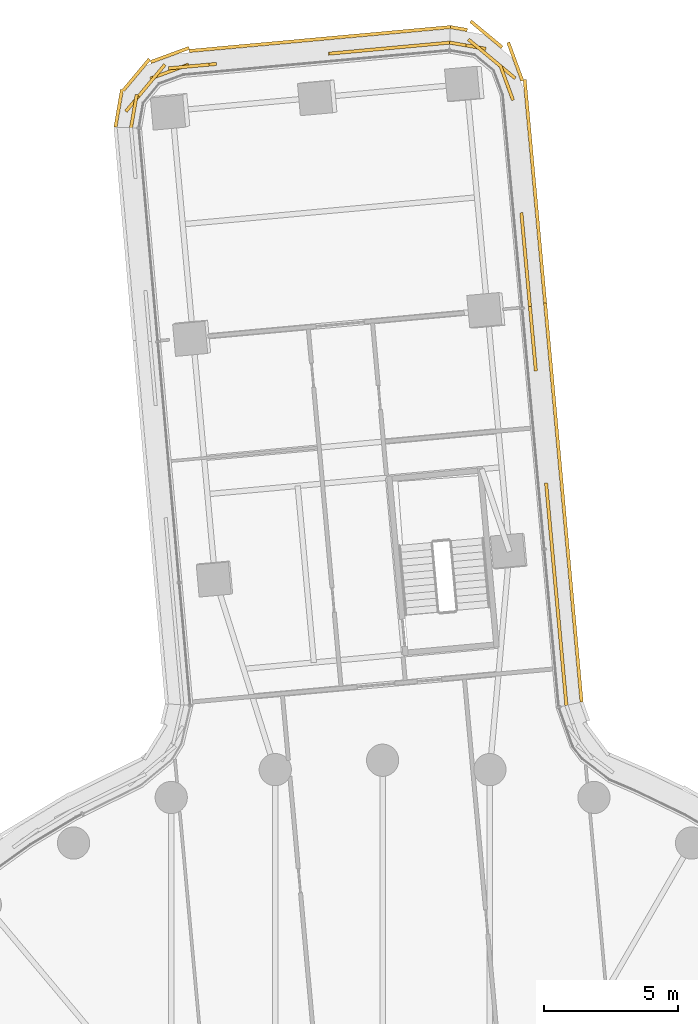
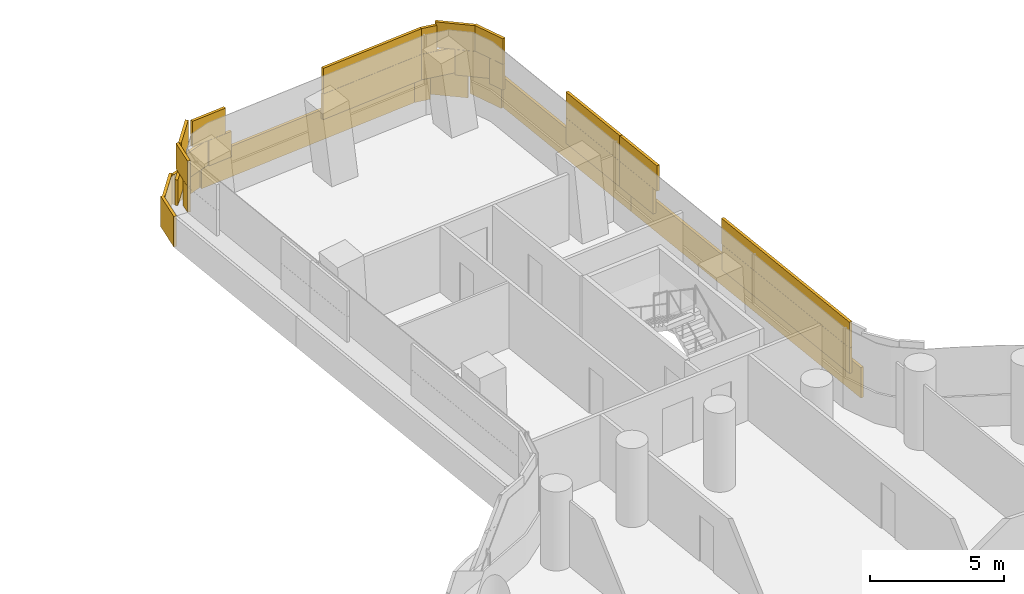
# One storey, part 31 of 31: 3 coverings.
"""IFC4 building model written with IfcOpenShell, lengths in metres."""

from ifc_helpers import new_model, si_unit, direction, frame, origin, origin_2d, place, context, subcontext, project, spatial, rectangle, extrude, material, layer, layer_set, type_object, element, save


model = new_model("IFC4")

# Units and contexts
model_context = context("Model", 3, precision=1e-05, world=origin(), true_north=direction((0.0, 1.0)))
body_context = subcontext(model_context, "Body", "Model", "MODEL_VIEW")
ifc_project = project(units=[si_unit("LENGTHUNIT", "METRE"), si_unit("AREAUNIT", "SQUARE_METRE"), si_unit("VOLUMEUNIT", "CUBIC_METRE"), si_unit("PLANEANGLEUNIT", "RADIAN"), si_unit("MASSUNIT", "GRAM", prefix="KILO")], contexts=[model_context])

# Site, building, storey
site_placement = place(None, origin())
site = spatial("IfcSite", under=ifc_project, at=site_placement, CompositionType="ELEMENT")
building_placement = place(site_placement, origin())
building = spatial("IfcBuilding", under=site, at=building_placement, Name="Tamarind Cross Interchange Tower", CompositionType="ELEMENT")
storey_placement = place(building_placement, frame((0.0, 0.0, 52.75)))
storey = spatial("IfcBuildingStorey", under=building, at=storey_placement, Name="L11", CompositionType="ELEMENT", Elevation=52.75)

# Coverings
ifc_material = material(Name="Terracotta", Category="masonry")
ifc_layer = layer(ifc_material, 0.1201171875)
ifc_layer_set = layer_set([ifc_layer], Name="Terracotta")
covering_type = type_object("IfcCoveringType", Name="Terracotta baguette screen unit", PredefinedType="MOLDING", material=ifc_layer_set)
covering_1_placement = place(storey_placement, origin())
element("IfcCovering", 1, at=covering_1_placement, inside=storey, type_object=covering_type, Name="SCR-L11-00-00", PredefinedType="MOLDING", context=body_context, shape_type="SweptSolid", body=[
    extrude(rectangle(XDim=0.760009765625, YDim=0.1201171875, at=origin_2d()), frame((2.1259765625, 49.672607421875, 1.404052734375), z_axis=(0.0, 0.0, 1.0), x_axis=(-0.995846347162, -0.091049727316, 0.0)), (0.0, 0.0, 1.0), 1.1669921875),
    extrude(rectangle(XDim=1.52001953125, YDim=0.1201171875, at=origin_2d()), frame((1.005859375, 49.5703125, 1.404052734375), z_axis=(0.0, 0.0, 1.0), x_axis=(-0.995846347162, -0.091049727316, 0.0)), (0.0, 0.0, 1.0), 1.1669921875),
    extrude(rectangle(XDim=1.52001953125, YDim=0.1201171875, at=origin_2d()), frame((-0.488037109375, 49.43359375, 1.404052734375), z_axis=(0.0, 0.0, 1.0), x_axis=(-0.995846347162, -0.091049727316, 0.0)), (0.0, 0.0, 1.0), 1.1669921875),
    extrude(rectangle(XDim=0.78466796875, YDim=0.1201171875, at=origin_2d()), frame((-1.62060546875, 49.330078125, 1.404052734375), z_axis=(0.0, 0.0, 1.0), x_axis=(-0.995846347162, -0.091049727316, 0.0)), (0.0, 0.0, 1.0), 1.1669921875),
    extrude(rectangle(XDim=1.03515625, YDim=0.1201171875, at=origin_2d()), frame((-6.699462890625, 48.86572265625, 1.404052734375), z_axis=(0.0, 0.0, 1.0), x_axis=(-0.995846347162, -0.091049727316, 0.0)), (0.0, 0.0, 1.0), 1.1669921875),
    extrude(rectangle(XDim=1.52001953125, YDim=0.1201171875, at=origin_2d()), frame((-7.929443359375, 48.62939453125, 1.404052734375), z_axis=(0.0, 0.0, 1.0), x_axis=(-0.938348302259, -0.345691283732, 0.0)), (0.0, 0.0, 1.0), 1.1669921875),
    extrude(rectangle(XDim=1.52001953125, YDim=0.1201171875, at=origin_2d()), frame((-9.06689453125, 47.728271484375, 1.404052734375), z_axis=(0.0, 0.0, 1.0), x_axis=(-0.639787825488, -0.768551584708, 0.0)), (0.0, 0.0, 1.0), 1.1669921875),
    extrude(rectangle(XDim=0.509521484375, YDim=0.1201171875, at=origin_2d()), frame((-9.3203125, 46.78173828125, 1.404052734375), z_axis=(0.0, 0.0, 1.0), x_axis=(-0.16979671755, -0.98547910922, 0.0)), (0.0, 0.0, 1.0), 1.1669921875),
    extrude(rectangle(XDim=1.510009765625, YDim=0.1201171875, at=origin_2d()), frame((1.752685546875, 49.638427734375, 2.5791015625), z_axis=(0.0, 0.0, 1.0), x_axis=(-0.995846347162, -0.091049727316, 0.0)), (0.0, 0.0, 1.0), 1.1669921875),
    extrude(rectangle(XDim=1.52001953125, YDim=0.1201171875, at=origin_2d()), frame((0.2587890625, 49.501953125, 2.5791015625), z_axis=(0.0, 0.0, 1.0), x_axis=(-0.995846347162, -0.091049727316, 0.0)), (0.0, 0.0, 1.0), 1.1669921875),
    extrude(rectangle(XDim=1.52001953125, YDim=0.1201171875, at=origin_2d()), frame((-1.23486328125, 49.365478515625, 2.5791015625), z_axis=(0.0, 0.0, 1.0), x_axis=(-0.995846347162, -0.091049727316, 0.0)), (0.0, 0.0, 1.0), 1.1669921875),
    extrude(rectangle(XDim=1.52001953125, YDim=0.1201171875, at=origin_2d()), frame((-7.2099609375, 48.819091796875, 2.5791015625), z_axis=(0.0, 0.0, 1.0), x_axis=(-0.995846347162, -0.091049727316, 0.0)), (0.0, 0.0, 1.0), 1.1669921875),
    extrude(rectangle(XDim=1.52001953125, YDim=0.1201171875, at=origin_2d()), frame((-8.5869140625, 48.3046875, 2.5791015625), z_axis=(0.0, 0.0, 1.0), x_axis=(-0.639787825488, -0.768551584708, 0.0)), (0.0, 0.0, 1.0), 1.1669921875),
    extrude(rectangle(XDim=1.259521484375, YDim=0.1201171875, at=origin_2d()), frame((-9.2568359375, 47.151123046875, 2.5791015625), z_axis=(0.0, 0.0, 1.0), x_axis=(-0.16979671755, -0.98547910922, 0.0)), (0.0, 0.0, 1.0), 1.1669921875),
    extrude(rectangle(XDim=0.760009765625, YDim=0.1201171875, at=origin_2d()), frame((2.14404296875, 50.250732421875, 0.00390625), z_axis=(0.0, 0.0, 1.0), x_axis=(-0.995846347162, -0.091049727316, 0.0)), (0.0, 0.0, 1.0), 1.39208984375),
    extrude(rectangle(XDim=1.52001953125, YDim=0.1201171875, at=origin_2d()), frame((1.02880859375, 50.148681640625, 0.00390625), z_axis=(0.0, 0.0, 1.0), x_axis=(-0.995846347162, -0.091049727316, 0.0)), (0.0, 0.0, 1.0), 1.39208984375),
    extrude(rectangle(XDim=1.52001953125, YDim=0.1201171875, at=origin_2d()), frame((-0.465087890625, 50.01220703125, 0.00390625), z_axis=(0.0, 0.0, 1.0), x_axis=(-0.995846347162, -0.091049727316, 0.0)), (0.0, 0.0, 1.0), 1.39208984375),
    extrude(rectangle(XDim=1.52001953125, YDim=0.1201171875, at=origin_2d()), frame((-1.958740234375, 49.87548828125, 0.00390625), z_axis=(0.0, 0.0, 1.0), x_axis=(-0.995846347162, -0.091049727316, 0.0)), (0.0, 0.0, 1.0), 1.39208984375),
    extrude(rectangle(XDim=1.52001953125, YDim=0.1201171875, at=origin_2d()), frame((-3.45263671875, 49.739013671875, 0.00390625), z_axis=(0.0, 0.0, 1.0), x_axis=(-0.995846347162, -0.091049727316, 0.0)), (0.0, 0.0, 1.0), 1.39208984375),
    extrude(rectangle(XDim=1.52001953125, YDim=0.1201171875, at=origin_2d()), frame((-4.9462890625, 49.6025390625, 0.00390625), z_axis=(0.0, 0.0, 1.0), x_axis=(-0.995846347162, -0.091049727316, 0.0)), (0.0, 0.0, 1.0), 1.39208984375),
    extrude(rectangle(XDim=1.52001953125, YDim=0.1201171875, at=origin_2d()), frame((-6.440185546875, 49.4658203125, 0.00390625), z_axis=(0.0, 0.0, 1.0), x_axis=(-0.995846347162, -0.091049727316, 0.0)), (0.0, 0.0, 1.0), 1.39208984375),
    extrude(rectangle(XDim=1.52001953125, YDim=0.1201171875, at=origin_2d()), frame((-7.915283203125, 49.24658203125, 0.00390625), z_axis=(0.0, 0.0, 1.0), x_axis=(-0.938348302259, -0.345691283732, 0.0)), (0.0, 0.0, 1.0), 1.39208984375),
    extrude(rectangle(XDim=1.52001953125, YDim=0.1201171875, at=origin_2d()), frame((-9.166015625, 48.506103515625, 0.00390625), z_axis=(0.0, 0.0, 1.0), x_axis=(-0.639787825488, -0.768551584708, 0.0)), (0.0, 0.0, 1.0), 1.39208984375),
    extrude(rectangle(XDim=1.42626953125, YDim=0.1201171875, at=origin_2d()), frame((-9.820068359375, 47.261962890625, 0.00390625), z_axis=(0.0, 0.0, 1.0), x_axis=(-0.16979671755, -0.98547910922, 0.0)), (0.0, 0.0, 1.0), 1.39208984375),
])
covering_2_placement = place(storey_placement, origin())
element("IfcCovering", 2, at=covering_2_placement, inside=storey, type_object=covering_type, Name="SCR-L11-15-00", PredefinedType="MOLDING", context=body_context, shape_type="SweptSolid", body=[
    extrude(rectangle(XDim=0.760009765625, YDim=0.1201171875, at=origin_2d()), frame((6.8076171875, 25.412841796875, 1.404052734375), z_axis=(0.0, 0.0, 1.0), x_axis=(-0.091049727316, 0.995846347162, 0.0)), (0.0, 0.0, 1.0), 1.1669921875),
    extrude(rectangle(XDim=1.52001953125, YDim=0.1201171875, at=origin_2d()), frame((6.705078125, 26.533203125, 1.404052734375), z_axis=(0.0, 0.0, 1.0), x_axis=(-0.091049727316, 0.995846347162, 0.0)), (0.0, 0.0, 1.0), 1.1669921875),
    extrude(rectangle(XDim=1.52001953125, YDim=0.1201171875, at=origin_2d()), frame((6.568603515625, 28.02685546875, 1.404052734375), z_axis=(0.0, 0.0, 1.0), x_axis=(-0.091049727316, 0.995846347162, 0.0)), (0.0, 0.0, 1.0), 1.1669921875),
    extrude(rectangle(XDim=1.52001953125, YDim=0.1201171875, at=origin_2d()), frame((6.431884765625, 29.520751953125, 1.404052734375), z_axis=(0.0, 0.0, 1.0), x_axis=(-0.091049727316, 0.995846347162, 0.0)), (0.0, 0.0, 1.0), 1.1669921875),
    extrude(rectangle(XDim=1.52001953125, YDim=0.1201171875, at=origin_2d()), frame((6.29541015625, 31.014404296875, 1.404052734375), z_axis=(0.0, 0.0, 1.0), x_axis=(-0.091049727316, 0.995846347162, 0.0)), (0.0, 0.0, 1.0), 1.1669921875),
    extrude(rectangle(XDim=1.52001953125, YDim=0.1201171875, at=origin_2d()), frame((6.15869140625, 32.50830078125, 1.404052734375), z_axis=(0.0, 0.0, 1.0), x_axis=(-0.091049727316, 0.995846347162, 0.0)), (0.0, 0.0, 1.0), 1.1669921875),
    extrude(rectangle(XDim=1.52001953125, YDim=0.1201171875, at=origin_2d()), frame((5.612548828125, 38.4833984375, 1.404052734375), z_axis=(0.0, 0.0, 1.0), x_axis=(-0.091049727316, 0.995846347162, 0.0)), (0.0, 0.0, 1.0), 1.1669921875),
    extrude(rectangle(XDim=0.667724609375, YDim=0.1201171875, at=origin_2d()), frame((5.51416015625, 39.557861328125, 1.404052734375), z_axis=(0.0, 0.0, 1.0), x_axis=(-0.091049727316, 0.995846347162, 0.0)), (0.0, 0.0, 1.0), 1.1669921875),
    extrude(rectangle(XDim=1.510009765625, YDim=0.1201171875, at=origin_2d()), frame((6.7734375, 25.786376953125, 2.5791015625), z_axis=(0.0, 0.0, 1.0), x_axis=(-0.091049727316, 0.995846347162, 0.0)), (0.0, 0.0, 1.0), 1.1669921875),
    extrude(rectangle(XDim=1.52001953125, YDim=0.1201171875, at=origin_2d()), frame((6.63671875, 27.280029296875, 2.5791015625), z_axis=(0.0, 0.0, 1.0), x_axis=(-0.091049727316, 0.995846347162, 0.0)), (0.0, 0.0, 1.0), 1.1669921875),
    extrude(rectangle(XDim=1.52001953125, YDim=0.1201171875, at=origin_2d()), frame((6.500244140625, 28.77392578125, 2.5791015625), z_axis=(0.0, 0.0, 1.0), x_axis=(-0.091049727316, 0.995846347162, 0.0)), (0.0, 0.0, 1.0), 1.1669921875),
    extrude(rectangle(XDim=1.52001953125, YDim=0.1201171875, at=origin_2d()), frame((6.36376953125, 30.267578125, 2.5791015625), z_axis=(0.0, 0.0, 1.0), x_axis=(-0.091049727316, 0.995846347162, 0.0)), (0.0, 0.0, 1.0), 1.1669921875),
    extrude(rectangle(XDim=1.52001953125, YDim=0.1201171875, at=origin_2d()), frame((6.22705078125, 31.761474609375, 2.5791015625), z_axis=(0.0, 0.0, 1.0), x_axis=(-0.091049727316, 0.995846347162, 0.0)), (0.0, 0.0, 1.0), 1.1669921875),
    extrude(rectangle(XDim=0.81787109375, YDim=0.1201171875, at=origin_2d()), frame((6.1220703125, 32.910400390625, 2.5791015625), z_axis=(0.0, 0.0, 1.0), x_axis=(-0.091049727316, 0.995846347162, 0.0)), (0.0, 0.0, 1.0), 1.1669921875),
    extrude(rectangle(XDim=1.002197265625, YDim=0.1201171875, at=origin_2d()), frame((5.65771484375, 37.9892578125, 2.5791015625), z_axis=(0.0, 0.0, 1.0), x_axis=(-0.091049727316, 0.995846347162, 0.0)), (0.0, 0.0, 1.0), 1.1669921875),
    extrude(rectangle(XDim=1.417724609375, YDim=0.1201171875, at=origin_2d()), frame((5.54833984375, 39.184326171875, 2.5791015625), z_axis=(0.0, 0.0, 1.0), x_axis=(-0.091049727316, 0.995846347162, 0.0)), (0.0, 0.0, 1.0), 1.1669921875),
    extrude(rectangle(XDim=0.760009765625, YDim=0.1201171875, at=origin_2d()), frame((7.3720703125, 25.54248046875, 0.00390625), z_axis=(0.0, 0.0, 1.0), x_axis=(-0.091049727316, 0.995846347162, 0.0)), (0.0, 0.0, 1.0), 1.39208984375),
    extrude(rectangle(XDim=1.52001953125, YDim=0.1201171875, at=origin_2d()), frame((7.27001953125, 26.65771484375, 0.00390625), z_axis=(0.0, 0.0, 1.0), x_axis=(-0.091049727316, 0.995846347162, 0.0)), (0.0, 0.0, 1.0), 1.39208984375),
    extrude(rectangle(XDim=1.52001953125, YDim=0.1201171875, at=origin_2d()), frame((7.133544921875, 28.1513671875, 0.00390625), z_axis=(0.0, 0.0, 1.0), x_axis=(-0.091049727316, 0.995846347162, 0.0)), (0.0, 0.0, 1.0), 1.39208984375),
    extrude(rectangle(XDim=1.52001953125, YDim=0.1201171875, at=origin_2d()), frame((6.9970703125, 29.645263671875, 0.00390625), z_axis=(0.0, 0.0, 1.0), x_axis=(-0.091049727316, 0.995846347162, 0.0)), (0.0, 0.0, 1.0), 1.39208984375),
    extrude(rectangle(XDim=1.52001953125, YDim=0.1201171875, at=origin_2d()), frame((6.8603515625, 31.138916015625, 0.00390625), z_axis=(0.0, 0.0, 1.0), x_axis=(-0.091049727316, 0.995846347162, 0.0)), (0.0, 0.0, 1.0), 1.39208984375),
    extrude(rectangle(XDim=1.52001953125, YDim=0.1201171875, at=origin_2d()), frame((6.723876953125, 32.6328125, 0.00390625), z_axis=(0.0, 0.0, 1.0), x_axis=(-0.091049727316, 0.995846347162, 0.0)), (0.0, 0.0, 1.0), 1.39208984375),
    extrude(rectangle(XDim=1.52001953125, YDim=0.1201171875, at=origin_2d()), frame((6.587158203125, 34.12646484375, 0.00390625), z_axis=(0.0, 0.0, 1.0), x_axis=(-0.091049727316, 0.995846347162, 0.0)), (0.0, 0.0, 1.0), 1.39208984375),
    extrude(rectangle(XDim=1.52001953125, YDim=0.1201171875, at=origin_2d()), frame((6.45068359375, 35.620361328125, 0.00390625), z_axis=(0.0, 0.0, 1.0), x_axis=(-0.091049727316, 0.995846347162, 0.0)), (0.0, 0.0, 1.0), 1.39208984375),
    extrude(rectangle(XDim=1.52001953125, YDim=0.1201171875, at=origin_2d()), frame((6.314208984375, 37.114013671875, 0.00390625), z_axis=(0.0, 0.0, 1.0), x_axis=(-0.091049727316, 0.995846347162, 0.0)), (0.0, 0.0, 1.0), 1.39208984375),
    extrude(rectangle(XDim=1.52001953125, YDim=0.1201171875, at=origin_2d()), frame((6.177490234375, 38.60791015625, 0.00390625), z_axis=(0.0, 0.0, 1.0), x_axis=(-0.091049727316, 0.995846347162, 0.0)), (0.0, 0.0, 1.0), 1.39208984375),
    extrude(rectangle(XDim=0.669677734375, YDim=0.1201171875, at=origin_2d()), frame((6.07958984375, 39.67822265625, 0.00390625), z_axis=(0.0, 0.0, 1.0), x_axis=(-0.091049727316, 0.995846347162, 0.0)), (0.0, 0.0, 1.0), 1.39208984375),
])
covering_3_placement = place(storey_placement, origin())
element("IfcCovering", 3, at=covering_3_placement, inside=storey, type_object=covering_type, Name="SCR-L11-15-01", PredefinedType="MOLDING", context=body_context, shape_type="SweptSolid", body=[
    extrude(rectangle(XDim=0.852294921875, YDim=0.1201171875, at=origin_2d()), frame((5.446044921875, 40.3046875, 1.404052734375), z_axis=(0.0, 0.0, 1.0), x_axis=(-0.091049727316, 0.995846347162, 0.0)), (0.0, 0.0, 1.0), 1.1669921875),
    extrude(rectangle(XDim=1.52001953125, YDim=0.1201171875, at=origin_2d()), frame((5.33935546875, 41.470947265625, 1.404052734375), z_axis=(0.0, 0.0, 1.0), x_axis=(-0.091049727316, 0.995846347162, 0.0)), (0.0, 0.0, 1.0), 1.1669921875),
    extrude(rectangle(XDim=1.16796875, YDim=0.1201171875, at=origin_2d()), frame((5.21826171875, 42.79443359375, 1.404052734375), z_axis=(0.0, 0.0, 1.0), x_axis=(-0.091049727316, 0.995846347162, 0.0)), (0.0, 0.0, 1.0), 1.1669921875),
    extrude(rectangle(XDim=0.652099609375, YDim=0.1201171875, at=origin_2d()), frame((4.7421875, 47.870361328125, 1.404052734375), z_axis=(0.0, 0.0, 1.0), x_axis=(-0.345691283732, 0.938348302259, 0.0)), (0.0, 0.0, 1.0), 1.1669921875),
    extrude(rectangle(XDim=1.52001953125, YDim=0.1201171875, at=origin_2d()), frame((4.35205078125, 48.861572265625, 1.404052734375), z_axis=(0.0, 0.0, 1.0), x_axis=(-0.768551584708, 0.639787825488, 0.0)), (0.0, 0.0, 1.0), 1.1669921875),
    extrude(rectangle(XDim=1.3681640625, YDim=0.1201171875, at=origin_2d()), frame((3.168701171875, 49.591552734375, 1.404052734375), z_axis=(0.0, 0.0, 1.0), x_axis=(-0.98547910922, 0.16979671755, 0.0)), (0.0, 0.0, 1.0), 1.1669921875),
    extrude(rectangle(XDim=0.102294921875, YDim=0.1201171875, at=origin_2d()), frame((5.480224609375, 39.93115234375, 2.5791015625), z_axis=(0.0, 0.0, 1.0), x_axis=(-0.091049727316, 0.995846347162, 0.0)), (0.0, 0.0, 1.0), 1.1669921875),
    extrude(rectangle(XDim=1.52001953125, YDim=0.1201171875, at=origin_2d()), frame((5.40771484375, 40.723876953125, 2.5791015625), z_axis=(0.0, 0.0, 1.0), x_axis=(-0.091049727316, 0.995846347162, 0.0)), (0.0, 0.0, 1.0), 1.1669921875),
    extrude(rectangle(XDim=1.52001953125, YDim=0.1201171875, at=origin_2d()), frame((5.27099609375, 42.2177734375, 2.5791015625), z_axis=(0.0, 0.0, 1.0), x_axis=(-0.091049727316, 0.995846347162, 0.0)), (0.0, 0.0, 1.0), 1.1669921875),
    extrude(rectangle(XDim=0.41796875, YDim=0.1201171875, at=origin_2d()), frame((5.184326171875, 43.167724609375, 2.5791015625), z_axis=(0.0, 0.0, 1.0), x_axis=(-0.091049727316, 0.995846347162, 0.0)), (0.0, 0.0, 1.0), 1.1669921875),
    extrude(rectangle(XDim=1.402099609375, YDim=0.1201171875, at=origin_2d()), frame((4.612548828125, 48.222412109375, 2.5791015625), z_axis=(0.0, 0.0, 1.0), x_axis=(-0.345691283732, 0.938348302259, 0.0)), (0.0, 0.0, 1.0), 1.1669921875),
    extrude(rectangle(XDim=1.52001953125, YDim=0.1201171875, at=origin_2d()), frame((3.775634765625, 49.34130859375, 2.5791015625), z_axis=(0.0, 0.0, 1.0), x_axis=(-0.768551584708, 0.639787825488, 0.0)), (0.0, 0.0, 1.0), 1.1669921875),
    extrude(rectangle(XDim=0.6181640625, YDim=0.1201171875, at=origin_2d()), frame((2.799072265625, 49.6552734375, 2.5791015625), z_axis=(0.0, 0.0, 1.0), x_axis=(-0.98547910922, 0.16979671755, 0.0)), (0.0, 0.0, 1.0), 1.1669921875),
    extrude(rectangle(XDim=0.850341796875, YDim=0.1201171875, at=origin_2d()), frame((6.010498046875, 40.43505859375, 0.00390625), z_axis=(0.0, 0.0, 1.0), x_axis=(-0.091049727316, 0.995846347162, 0.0)), (0.0, 0.0, 1.0), 1.39208984375),
    extrude(rectangle(XDim=1.52001953125, YDim=0.1201171875, at=origin_2d()), frame((5.904296875, 41.595458984375, 0.00390625), z_axis=(0.0, 0.0, 1.0), x_axis=(-0.091049727316, 0.995846347162, 0.0)), (0.0, 0.0, 1.0), 1.39208984375),
    extrude(rectangle(XDim=1.52001953125, YDim=0.1201171875, at=origin_2d()), frame((5.767822265625, 43.089111328125, 0.00390625), z_axis=(0.0, 0.0, 1.0), x_axis=(-0.091049727316, 0.995846347162, 0.0)), (0.0, 0.0, 1.0), 1.39208984375),
    extrude(rectangle(XDim=1.52001953125, YDim=0.1201171875, at=origin_2d()), frame((5.631103515625, 44.5830078125, 0.00390625), z_axis=(0.0, 0.0, 1.0), x_axis=(-0.091049727316, 0.995846347162, 0.0)), (0.0, 0.0, 1.0), 1.39208984375),
    extrude(rectangle(XDim=1.52001953125, YDim=0.1201171875, at=origin_2d()), frame((5.49462890625, 46.07666015625, 0.00390625), z_axis=(0.0, 0.0, 1.0), x_axis=(-0.091049727316, 0.995846347162, 0.0)), (0.0, 0.0, 1.0), 1.39208984375),
    extrude(rectangle(XDim=1.52001953125, YDim=0.1201171875, at=origin_2d()), frame((5.358154296875, 47.570556640625, 0.00390625), z_axis=(0.0, 0.0, 1.0), x_axis=(-0.091049727316, 0.995846347162, 0.0)), (0.0, 0.0, 1.0), 1.39208984375),
    extrude(rectangle(XDim=1.52001953125, YDim=0.1201171875, at=origin_2d()), frame((4.9375, 49.000244140625, 0.00390625), z_axis=(0.0, 0.0, 1.0), x_axis=(-0.345691283732, 0.938348302259, 0.0)), (0.0, 0.0, 1.0), 1.39208984375),
    extrude(rectangle(XDim=1.52001953125, YDim=0.1201171875, at=origin_2d()), frame((3.86328125, 50.015380859375, 0.00390625), z_axis=(0.0, 0.0, 1.0), x_axis=(-0.768551584708, 0.639787825488, 0.0)), (0.0, 0.0, 1.0), 1.39208984375),
    extrude(rectangle(XDim=0.637451171875, YDim=0.1201171875, at=origin_2d()), frame((2.836669921875, 50.231201171875, 0.00390625), z_axis=(0.0, 0.0, 1.0), x_axis=(-0.98547910922, 0.16979671755, 0.0)), (0.0, 0.0, 1.0), 1.39208984375),
])

save(model, "model.ifc")
